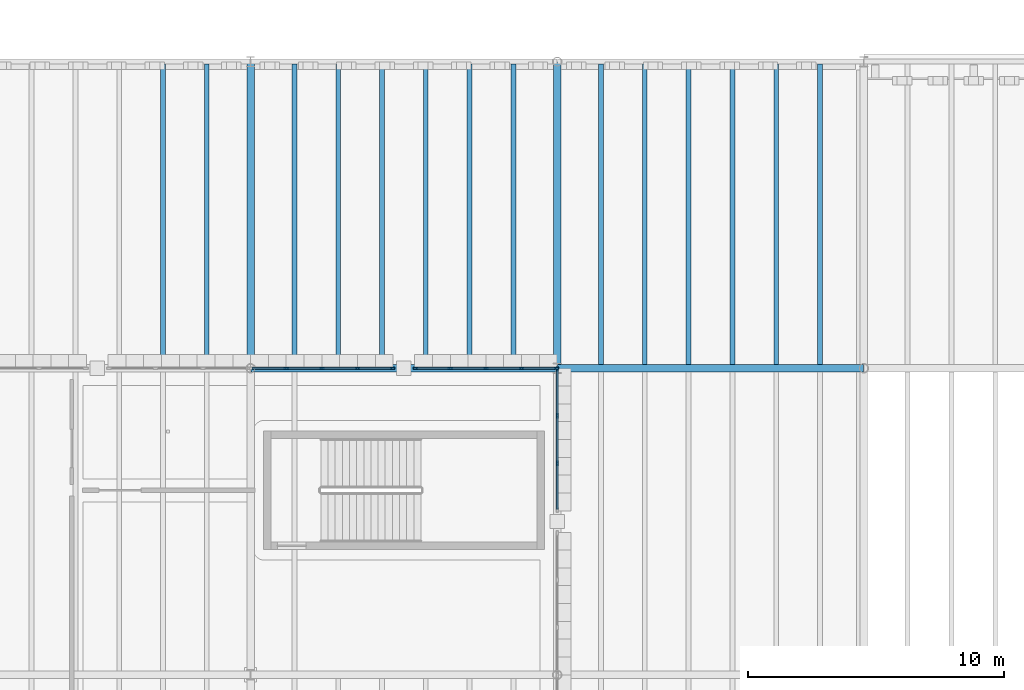
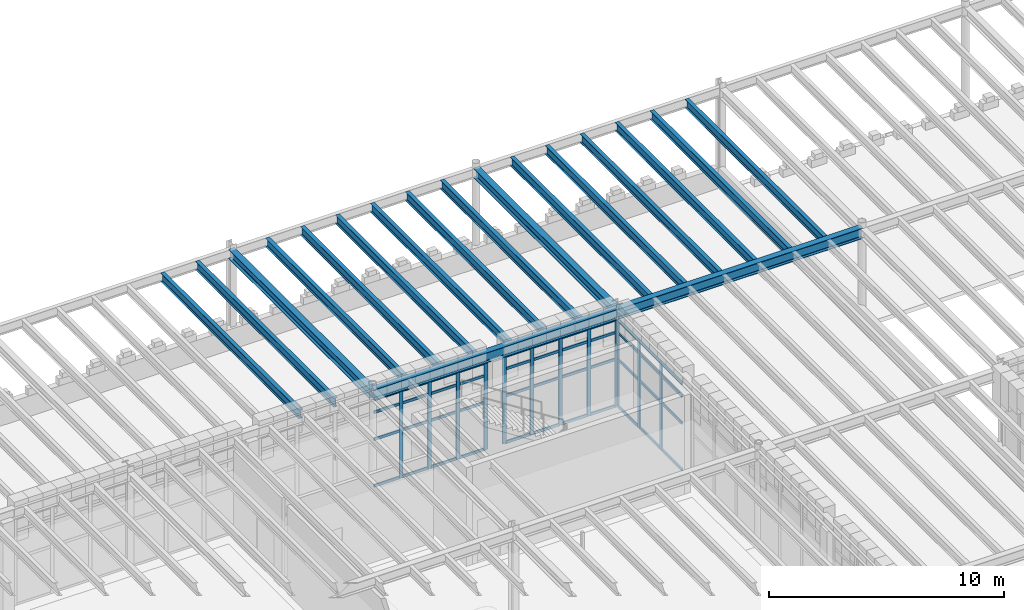
# One storey, part 27 of 100: 56 members, 18 beams, 3 elements without a shape of their own.
"""IFC4 building model written with IfcOpenShell, lengths in metres."""

from ifc_helpers import new_model, si_unit, direction, frame, origin, origin_2d, place, context, subcontext, project, spatial, rectangle, i_section, extrude, material, layer, layer_set, material_profile, profile_set, type_object, element, aggregate, save


model = new_model("IFC4")

# Units and contexts
model_context = context("Model", 3, precision=1e-05, world=origin(), true_north=direction((0.0, 1.0)))
body_context = subcontext(model_context, "Body", "Model", "MODEL_VIEW")
ifc_project = project(units=[si_unit("LENGTHUNIT", "METRE"), si_unit("AREAUNIT", "SQUARE_METRE"), si_unit("VOLUMEUNIT", "CUBIC_METRE"), si_unit("PLANEANGLEUNIT", "RADIAN"), si_unit("MASSUNIT", "GRAM", prefix="KILO")], contexts=[model_context])

# Site, building, storey
site_placement = place(None, origin())
site = spatial("IfcSite", under=ifc_project, at=site_placement, CompositionType="ELEMENT")
building_placement = place(site_placement, origin())
building = spatial("IfcBuilding", under=site, at=building_placement, Name="Zlatogorsky Bluff Art Gallery", CompositionType="ELEMENT")
storey_placement = place(building_placement, frame((0.0, 0.0, 5.39990234375)))
storey = spatial("IfcBuildingStorey", under=building, at=storey_placement, Name="L01", CompositionType="ELEMENT", Elevation=5.39990234375)

# Beams
ifc_material_1 = material(Name="Steel S355", Category="steel")
ifc_material_profile_1 = material_profile(ifc_material_1, i_section(OverallWidth=0.300048828125, OverallDepth=0.5400390625, WebThickness=0.012451171875, FlangeThickness=0.02392578125, FilletRadius=0.027099609375, at=origin_2d()), Name="HEA 550")
ifc_profile_set_1 = profile_set([ifc_material_profile_1], Name="Steel S355")
beam_type_1 = type_object("IfcBeamType", Name="Beam BM-06 HEA 550", PredefinedType="BEAM", material=ifc_profile_set_1)
for number, where, z_axis, x_axis, name in (
    (1, (36.014892578125, 108.0, 4.840087890625), (1.0, 0.0, 0.0), (0.0, 1.0, 0.0), "Primary girder BM-06 L01 D-E/11"),
    (2, (48.014892578125, 108.0, 4.840087890625), (1.0, 0.0, 0.0), (0.0, 1.0, 0.0), "Primary girder BM-06 L01 E-F/11"),
):
    element("IfcBeam", number, at=place(storey_placement, frame(where, z_axis=z_axis, x_axis=x_axis)), inside=storey, type_object=beam_type_1, Name=name, PredefinedType="BEAM", context=body_context, shape_type="SweptSolid", body=[
        extrude(i_section(OverallWidth=0.300048828125, OverallDepth=0.5400390625, WebThickness=0.012451171875, FlangeThickness=0.02392578125, FilletRadius=0.027099609375, at=origin_2d()), origin(), (0.0, 0.0, 1.0), 11.97021484375),
    ])
ifc_material_profile_2 = material_profile(ifc_material_1, i_section(OverallWidth=0.300048828125, OverallDepth=0.489990234375, WebThickness=0.011962890625, FlangeThickness=0.02294921875, FilletRadius=0.027099609375, at=origin_2d()), Name="HEA 500")
ifc_profile_set_2 = profile_set([ifc_material_profile_2], Name="Steel S355")
beam_type_2 = type_object("IfcBeamType", Name="Beam BM-07 HEA 500", PredefinedType="BEAM", material=ifc_profile_set_2)
for number, where, z_axis, x_axis, name in (
    (3, (36.0, 108.014892578125, 4.864990234375), (0.0, 1.0, 0.0), (-1.0, 0.0, 0.0), "Primary girder BM-07 L01 D/11-12"),
    (4, (48.0, 108.014892578125, 4.864990234375), (0.0, 1.0, 0.0), (-1.0, 0.0, 0.0), "Primary girder BM-07 L01 E/11-12"),
):
    element("IfcBeam", number, at=place(storey_placement, frame(where, z_axis=z_axis, x_axis=x_axis)), inside=storey, type_object=beam_type_2, Name=name, PredefinedType="BEAM", context=body_context, shape_type="SweptSolid", body=[
        extrude(i_section(OverallWidth=0.300048828125, OverallDepth=0.489990234375, WebThickness=0.011962890625, FlangeThickness=0.02294921875, FilletRadius=0.027099609375, at=origin_2d()), origin(), (0.0, 0.0, 1.0), 11.97021484375),
    ])
ifc_material_profile_3 = material_profile(ifc_material_1, i_section(OverallWidth=0.18994140625, OverallDepth=0.449951171875, WebThickness=0.009521484375, FlangeThickness=0.0146484375, FilletRadius=0.02099609375, at=origin_2d()), Name="IPE 450")
ifc_profile_set_3 = profile_set([ifc_material_profile_3], Name="Steel S355")
beam_type_3 = type_object("IfcBeamType", Name="Beam JS-06 IPE 450", PredefinedType="JOIST", material=ifc_profile_set_3)
for number, where, z_axis, x_axis, name in (
    (5, (32.571533203125, 108.14990234375, 4.885009765625), (0.0, 1.0, 0.0), (-1.0, 0.0, 0.0), "Composite floor joist JS-06 L01 02.10.5"),
    (6, (34.28564453125, 108.14990234375, 4.885009765625), (0.0, 1.0, 0.0), (-1.0, 0.0, 0.0), "Composite floor joist JS-06 L01 02.10.6"),
    (7, (37.71435546875, 108.14990234375, 4.885009765625), (0.0, 1.0, 0.0), (-1.0, 0.0, 0.0), "Composite floor joist JS-06 L01 03.10.1"),
    (8, (39.428466796875, 108.14990234375, 4.885009765625), (0.0, 1.0, 0.0), (-1.0, 0.0, 0.0), "Composite floor joist JS-06 L01 03.10.2"),
    (9, (41.142822265625, 108.14990234375, 4.885009765625), (0.0, 1.0, 0.0), (-1.0, 0.0, 0.0), "Composite floor joist JS-06 L01 03.10.3"),
    (10, (42.857177734375, 108.14990234375, 4.885009765625), (0.0, 1.0, 0.0), (-1.0, 0.0, 0.0), "Composite floor joist JS-06 L01 03.10.4"),
    (11, (44.571533203125, 108.14990234375, 4.885009765625), (0.0, 1.0, 0.0), (-1.0, 0.0, 0.0), "Composite floor joist JS-06 L01 03.10.5"),
    (12, (46.28564453125, 108.14990234375, 4.885009765625), (0.0, 1.0, 0.0), (-1.0, 0.0, 0.0), "Composite floor joist JS-06 L01 03.10.6"),
    (13, (49.71435546875, 108.14990234375, 4.885009765625), (0.0, 1.0, 0.0), (-1.0, 0.0, 0.0), "Composite floor joist JS-06 L01 04.10.1"),
    (14, (51.428466796875, 108.14990234375, 4.885009765625), (0.0, 1.0, 0.0), (-1.0, 0.0, 0.0), "Composite floor joist JS-06 L01 04.10.2"),
    (15, (53.142822265625, 108.14990234375, 4.885009765625), (0.0, 1.0, 0.0), (-1.0, 0.0, 0.0), "Composite floor joist JS-06 L01 04.10.3"),
    (16, (54.857177734375, 108.14990234375, 4.885009765625), (0.0, 1.0, 0.0), (-1.0, 0.0, 0.0), "Composite floor joist JS-06 L01 04.10.4"),
    (17, (56.571533203125, 108.14990234375, 4.885009765625), (0.0, 1.0, 0.0), (-1.0, 0.0, 0.0), "Composite floor joist JS-06 L01 04.10.5"),
    (18, (58.28564453125, 108.14990234375, 4.885009765625), (0.0, 1.0, 0.0), (-1.0, 0.0, 0.0), "Composite floor joist JS-06 L01 04.10.6"),
):
    element("IfcBeam", number, at=place(storey_placement, frame(where, z_axis=z_axis, x_axis=x_axis)), inside=storey, type_object=beam_type_3, Name=name, PredefinedType="JOIST", context=body_context, shape_type="SweptSolid", body=[
        extrude(i_section(OverallWidth=0.18994140625, OverallDepth=0.449951171875, WebThickness=0.009521484375, FlangeThickness=0.0146484375, FilletRadius=0.02099609375, at=origin_2d()), origin(), (0.0, 0.0, 1.0), 11.75),
    ])

# Curtain wall, members
ifc_material_2 = material(Name="Anodised Bronze Aluminium and Low-Iron Triple Glazing", Category="aluminium")
ifc_layer_1 = layer(ifc_material_2, 0.199951171875)
ifc_layer_set_1 = layer_set([ifc_layer_1], Name="Curtain Wall CW-02")
curtain_wall_type_1 = type_object("IfcCurtainWallType", Name="Curtain Wall CW-02", PredefinedType="USERDEFINED", material=ifc_layer_set_1)
curtain_wall_1_placement = place(storey_placement, origin())
curtain_wall_1 = element("IfcCurtainWall", 19, at=curtain_wall_1_placement, inside=storey, type_object=curtain_wall_type_1, Name="Unitised curtain wall CW-02 L01 N 3.9-A", ObjectType="CURTAIN WALL", PredefinedType="USERDEFINED")
ifc_material_3 = material(Name="Anodised Bronze Aluminium", Category="aluminium")
ifc_material_profile_4 = material_profile(ifc_material_3, rectangle(XDim=0.06494140625, YDim=0.179931640625, at=origin_2d()), Name="ALU MULLION 65x180")
ifc_profile_set_4 = profile_set([ifc_material_profile_4], Name="Anodised Bronze Aluminium")
member_type_1 = type_object("IfcMemberType", Name="Curtain Mullion ML-01", PredefinedType="MULLION", material=ifc_profile_set_4)
member_1_placement = place(storey_placement, frame((47.967529296875, 108.0, 0.0), z_axis=(0.0, 0.0, 1.0), x_axis=(0.0, -1.0, 0.0)))
member_1 = element("IfcMember", 20, at=member_1_placement, type_object=member_type_1, Name="CW-02 mullion 1", PredefinedType="MULLION", context=body_context, shape_type="SweptSolid", body=[
    extrude(rectangle(XDim=0.06494140625, YDim=0.179931640625, at=origin_2d()), origin(), (0.0, 0.0, 1.0), 4.530029296875),
])
member_2_placement = place(storey_placement, frame((46.60498046875, 108.0, 0.0), z_axis=(0.0, 0.0, 1.0), x_axis=(0.0, -1.0, 0.0)))
member_2 = element("IfcMember", 21, at=member_2_placement, type_object=member_type_1, Name="CW-02 mullion 2", PredefinedType="MULLION", context=body_context, shape_type="SweptSolid", body=[
    extrude(rectangle(XDim=0.06494140625, YDim=0.179931640625, at=origin_2d()), origin(), (0.0, 0.0, 1.0), 4.530029296875),
])
member_3_placement = place(storey_placement, frame((45.2099609375, 108.0, 0.0), z_axis=(0.0, 0.0, 1.0), x_axis=(0.0, -1.0, 0.0)))
member_3 = element("IfcMember", 22, at=member_3_placement, type_object=member_type_1, Name="CW-02 mullion 3", PredefinedType="MULLION", context=body_context, shape_type="SweptSolid", body=[
    extrude(rectangle(XDim=0.06494140625, YDim=0.179931640625, at=origin_2d()), origin(), (0.0, 0.0, 1.0), 4.530029296875),
])
member_4_placement = place(storey_placement, frame((43.81494140625, 108.0, 0.0), z_axis=(0.0, 0.0, 1.0), x_axis=(0.0, -1.0, 0.0)))
member_4 = element("IfcMember", 23, at=member_4_placement, type_object=member_type_1, Name="CW-02 mullion 4", PredefinedType="MULLION", context=body_context, shape_type="SweptSolid", body=[
    extrude(rectangle(XDim=0.06494140625, YDim=0.179931640625, at=origin_2d()), origin(), (0.0, 0.0, 1.0), 4.530029296875),
])
member_5_placement = place(storey_placement, frame((42.452392578125, 108.0, 0.0), z_axis=(0.0, 0.0, 1.0), x_axis=(0.0, -1.0, 0.0)))
member_5 = element("IfcMember", 24, at=member_5_placement, type_object=member_type_1, Name="CW-02 mullion 5", PredefinedType="MULLION", context=body_context, shape_type="SweptSolid", body=[
    extrude(rectangle(XDim=0.06494140625, YDim=0.179931640625, at=origin_2d()), origin(), (0.0, 0.0, 1.0), 4.530029296875),
])

curtain_wall_2_placement = place(storey_placement, origin())
curtain_wall_2 = element("IfcCurtainWall", 25, at=curtain_wall_2_placement, inside=storey, type_object=curtain_wall_type_1, Name="Unitised curtain wall CW-02 L01 N 3.9-B", ObjectType="CURTAIN WALL", PredefinedType="USERDEFINED")
member_6_placement = place(storey_placement, frame((41.547607421875, 108.0, 0.0), z_axis=(0.0, 0.0, 1.0), x_axis=(0.0, -1.0, 0.0)))
member_6 = element("IfcMember", 26, at=member_6_placement, type_object=member_type_1, Name="CW-02 mullion 1", PredefinedType="MULLION", context=body_context, shape_type="SweptSolid", body=[
    extrude(rectangle(XDim=0.06494140625, YDim=0.179931640625, at=origin_2d()), origin(), (0.0, 0.0, 1.0), 4.530029296875),
])
member_7_placement = place(storey_placement, frame((40.18505859375, 108.0, 0.0), z_axis=(0.0, 0.0, 1.0), x_axis=(0.0, -1.0, 0.0)))
member_7 = element("IfcMember", 27, at=member_7_placement, type_object=member_type_1, Name="CW-02 mullion 2", PredefinedType="MULLION", context=body_context, shape_type="SweptSolid", body=[
    extrude(rectangle(XDim=0.06494140625, YDim=0.179931640625, at=origin_2d()), origin(), (0.0, 0.0, 1.0), 4.530029296875),
])
member_8_placement = place(storey_placement, frame((38.7900390625, 108.0, 0.0), z_axis=(0.0, 0.0, 1.0), x_axis=(0.0, -1.0, 0.0)))
member_8 = element("IfcMember", 28, at=member_8_placement, type_object=member_type_1, Name="CW-02 mullion 3", PredefinedType="MULLION", context=body_context, shape_type="SweptSolid", body=[
    extrude(rectangle(XDim=0.06494140625, YDim=0.179931640625, at=origin_2d()), origin(), (0.0, 0.0, 1.0), 4.530029296875),
])
member_9_placement = place(storey_placement, frame((37.39501953125, 108.0, 0.0), z_axis=(0.0, 0.0, 1.0), x_axis=(0.0, -1.0, 0.0)))
member_9 = element("IfcMember", 29, at=member_9_placement, type_object=member_type_1, Name="CW-02 mullion 4", PredefinedType="MULLION", context=body_context, shape_type="SweptSolid", body=[
    extrude(rectangle(XDim=0.06494140625, YDim=0.179931640625, at=origin_2d()), origin(), (0.0, 0.0, 1.0), 4.530029296875),
])

ifc_layer_2 = layer(ifc_material_2, 0.219970703125)
ifc_layer_set_2 = layer_set([ifc_layer_2], Name="Curtain Wall CW-04")
curtain_wall_type_2 = type_object("IfcCurtainWallType", Name="Curtain Wall CW-04", PredefinedType="USERDEFINED", material=ifc_layer_set_2)
curtain_wall_3_placement = place(storey_placement, origin())
curtain_wall_3 = element("IfcCurtainWall", 30, at=curtain_wall_3_placement, inside=storey, type_object=curtain_wall_type_2, Name="Unitised curtain wall CW-04 L01 E 3.9-B", ObjectType="CURTAIN WALL", PredefinedType="USERDEFINED")
member_10_placement = place(storey_placement, frame((48.0, 104.280029296875, 0.0), z_axis=(0.0, 0.0, 1.0), x_axis=(-1.0, 0.0, 0.0)))
member_10 = element("IfcMember", 31, at=member_10_placement, type_object=member_type_1, Name="CW-04 mullion 2", PredefinedType="MULLION", context=body_context, shape_type="SweptSolid", body=[
    extrude(rectangle(XDim=0.06494140625, YDim=0.179931640625, at=origin_2d()), origin(), (0.0, 0.0, 1.0), 4.530029296875),
])
member_11_placement = place(storey_placement, frame((48.0, 106.139892578125, 0.0), z_axis=(0.0, 0.0, 1.0), x_axis=(-1.0, 0.0, 0.0)))
member_11 = element("IfcMember", 32, at=member_11_placement, type_object=member_type_1, Name="CW-04 mullion 3", PredefinedType="MULLION", context=body_context, shape_type="SweptSolid", body=[
    extrude(rectangle(XDim=0.06494140625, YDim=0.179931640625, at=origin_2d()), origin(), (0.0, 0.0, 1.0), 4.530029296875),
])
member_12_placement = place(storey_placement, frame((48.0, 107.967529296875, 0.0), z_axis=(0.0, 0.0, 1.0), x_axis=(-1.0, 0.0, 0.0)))
member_12 = element("IfcMember", 33, at=member_12_placement, type_object=member_type_1, Name="CW-04 mullion 4", PredefinedType="MULLION", context=body_context, shape_type="SweptSolid", body=[
    extrude(rectangle(XDim=0.06494140625, YDim=0.179931640625, at=origin_2d()), origin(), (0.0, 0.0, 1.0), 4.530029296875),
])

# Member
ifc_material_profile_5 = material_profile(ifc_material_3, rectangle(XDim=0.06494140625, YDim=0.139892578125, at=origin_2d()), Name="ALU TRANSOM 65x140")
ifc_profile_set_5 = profile_set([ifc_material_profile_5], Name="Anodised Bronze Aluminium")
member_type_2 = type_object("IfcMemberType", Name="Curtain Transom TR-01", PredefinedType="USERDEFINED", material=ifc_profile_set_5)
member_13_placement = place(storey_placement, frame((47.93505859375, 108.0, 0.03271484375), z_axis=(-1.0, 0.0, 0.0), x_axis=(0.0, -1.0, 0.0)))
member_13 = element("IfcMember", 34, at=member_13_placement, type_object=member_type_2, Name="CW-02 transom 1.1", ObjectType="TRANSOM", PredefinedType="USERDEFINED", context=body_context, shape_type="SweptSolid", body=[
    extrude(rectangle(XDim=0.06494140625, YDim=0.139892578125, at=origin_2d()), origin(), (0.0, 0.0, 1.0), 1.297607421875),
])

member_14_placement = place(storey_placement, frame((47.93505859375, 108.0, 2.4501953125), z_axis=(-1.0, 0.0, 0.0), x_axis=(0.0, -1.0, 0.0)))
member_14 = element("IfcMember", 35, at=member_14_placement, type_object=member_type_2, Name="CW-02 transom 1.2", ObjectType="TRANSOM", PredefinedType="USERDEFINED", context=body_context, shape_type="SweptSolid", body=[
    extrude(rectangle(XDim=0.06494140625, YDim=0.139892578125, at=origin_2d()), origin(), (0.0, 0.0, 1.0), 1.297607421875),
])

member_15_placement = place(storey_placement, frame((47.93505859375, 108.0, 3.85009765625), z_axis=(-1.0, 0.0, 0.0), x_axis=(0.0, -1.0, 0.0)))
member_15 = element("IfcMember", 36, at=member_15_placement, type_object=member_type_2, Name="CW-02 transom 1.3", ObjectType="TRANSOM", PredefinedType="USERDEFINED", context=body_context, shape_type="SweptSolid", body=[
    extrude(rectangle(XDim=0.06494140625, YDim=0.139892578125, at=origin_2d()), origin(), (0.0, 0.0, 1.0), 1.297607421875),
])

member_16_placement = place(storey_placement, frame((47.93505859375, 108.0, 4.49755859375), z_axis=(-1.0, 0.0, 0.0), x_axis=(0.0, -1.0, 0.0)))
member_16 = element("IfcMember", 37, at=member_16_placement, type_object=member_type_2, Name="CW-02 transom 1.4", ObjectType="TRANSOM", PredefinedType="USERDEFINED", context=body_context, shape_type="SweptSolid", body=[
    extrude(rectangle(XDim=0.06494140625, YDim=0.139892578125, at=origin_2d()), origin(), (0.0, 0.0, 1.0), 1.297607421875),
])

member_17_placement = place(storey_placement, frame((46.572509765625, 108.0, 0.03271484375), z_axis=(-1.0, 0.0, 0.0), x_axis=(0.0, -1.0, 0.0)))
member_17 = element("IfcMember", 38, at=member_17_placement, type_object=member_type_2, Name="CW-02 transom 2.1", ObjectType="TRANSOM", PredefinedType="USERDEFINED", context=body_context, shape_type="SweptSolid", body=[
    extrude(rectangle(XDim=0.06494140625, YDim=0.139892578125, at=origin_2d()), origin(), (0.0, 0.0, 1.0), 1.330078125),
])

member_18_placement = place(storey_placement, frame((46.572509765625, 108.0, 2.4501953125), z_axis=(-1.0, 0.0, 0.0), x_axis=(0.0, -1.0, 0.0)))
member_18 = element("IfcMember", 39, at=member_18_placement, type_object=member_type_2, Name="CW-02 transom 2.2", ObjectType="TRANSOM", PredefinedType="USERDEFINED", context=body_context, shape_type="SweptSolid", body=[
    extrude(rectangle(XDim=0.06494140625, YDim=0.139892578125, at=origin_2d()), origin(), (0.0, 0.0, 1.0), 1.330078125),
])

member_19_placement = place(storey_placement, frame((46.572509765625, 108.0, 3.85009765625), z_axis=(-1.0, 0.0, 0.0), x_axis=(0.0, -1.0, 0.0)))
member_19 = element("IfcMember", 40, at=member_19_placement, type_object=member_type_2, Name="CW-02 transom 2.3", ObjectType="TRANSOM", PredefinedType="USERDEFINED", context=body_context, shape_type="SweptSolid", body=[
    extrude(rectangle(XDim=0.06494140625, YDim=0.139892578125, at=origin_2d()), origin(), (0.0, 0.0, 1.0), 1.330078125),
])

member_20_placement = place(storey_placement, frame((46.572509765625, 108.0, 4.49755859375), z_axis=(-1.0, 0.0, 0.0), x_axis=(0.0, -1.0, 0.0)))
member_20 = element("IfcMember", 41, at=member_20_placement, type_object=member_type_2, Name="CW-02 transom 2.4", ObjectType="TRANSOM", PredefinedType="USERDEFINED", context=body_context, shape_type="SweptSolid", body=[
    extrude(rectangle(XDim=0.06494140625, YDim=0.139892578125, at=origin_2d()), origin(), (0.0, 0.0, 1.0), 1.330078125),
])

member_21_placement = place(storey_placement, frame((45.177490234375, 108.0, 0.03271484375), z_axis=(-1.0, 0.0, 0.0), x_axis=(0.0, -1.0, 0.0)))
member_21 = element("IfcMember", 42, at=member_21_placement, type_object=member_type_2, Name="CW-02 transom 3.1", ObjectType="TRANSOM", PredefinedType="USERDEFINED", context=body_context, shape_type="SweptSolid", body=[
    extrude(rectangle(XDim=0.06494140625, YDim=0.139892578125, at=origin_2d()), origin(), (0.0, 0.0, 1.0), 1.330078125),
])

member_22_placement = place(storey_placement, frame((45.177490234375, 108.0, 2.4501953125), z_axis=(-1.0, 0.0, 0.0), x_axis=(0.0, -1.0, 0.0)))
member_22 = element("IfcMember", 43, at=member_22_placement, type_object=member_type_2, Name="CW-02 transom 3.2", ObjectType="TRANSOM", PredefinedType="USERDEFINED", context=body_context, shape_type="SweptSolid", body=[
    extrude(rectangle(XDim=0.06494140625, YDim=0.139892578125, at=origin_2d()), origin(), (0.0, 0.0, 1.0), 1.330078125),
])

member_23_placement = place(storey_placement, frame((45.177490234375, 108.0, 3.85009765625), z_axis=(-1.0, 0.0, 0.0), x_axis=(0.0, -1.0, 0.0)))
member_23 = element("IfcMember", 44, at=member_23_placement, type_object=member_type_2, Name="CW-02 transom 3.3", ObjectType="TRANSOM", PredefinedType="USERDEFINED", context=body_context, shape_type="SweptSolid", body=[
    extrude(rectangle(XDim=0.06494140625, YDim=0.139892578125, at=origin_2d()), origin(), (0.0, 0.0, 1.0), 1.330078125),
])

member_24_placement = place(storey_placement, frame((45.177490234375, 108.0, 4.49755859375), z_axis=(-1.0, 0.0, 0.0), x_axis=(0.0, -1.0, 0.0)))
member_24 = element("IfcMember", 45, at=member_24_placement, type_object=member_type_2, Name="CW-02 transom 3.4", ObjectType="TRANSOM", PredefinedType="USERDEFINED", context=body_context, shape_type="SweptSolid", body=[
    extrude(rectangle(XDim=0.06494140625, YDim=0.139892578125, at=origin_2d()), origin(), (0.0, 0.0, 1.0), 1.330078125),
])

member_25_placement = place(storey_placement, frame((43.782470703125, 108.0, 0.03271484375), z_axis=(-1.0, 0.0, 0.0), x_axis=(0.0, -1.0, 0.0)))
member_25 = element("IfcMember", 46, at=member_25_placement, type_object=member_type_2, Name="CW-02 transom 4.1", ObjectType="TRANSOM", PredefinedType="USERDEFINED", context=body_context, shape_type="SweptSolid", body=[
    extrude(rectangle(XDim=0.06494140625, YDim=0.139892578125, at=origin_2d()), origin(), (0.0, 0.0, 1.0), 1.29736328125),
])

member_26_placement = place(storey_placement, frame((43.782470703125, 108.0, 2.4501953125), z_axis=(-1.0, 0.0, 0.0), x_axis=(0.0, -1.0, 0.0)))
member_26 = element("IfcMember", 47, at=member_26_placement, type_object=member_type_2, Name="CW-02 transom 4.2", ObjectType="TRANSOM", PredefinedType="USERDEFINED", context=body_context, shape_type="SweptSolid", body=[
    extrude(rectangle(XDim=0.06494140625, YDim=0.139892578125, at=origin_2d()), origin(), (0.0, 0.0, 1.0), 1.29736328125),
])

member_27_placement = place(storey_placement, frame((43.782470703125, 108.0, 3.85009765625), z_axis=(-1.0, 0.0, 0.0), x_axis=(0.0, -1.0, 0.0)))
member_27 = element("IfcMember", 48, at=member_27_placement, type_object=member_type_2, Name="CW-02 transom 4.3", ObjectType="TRANSOM", PredefinedType="USERDEFINED", context=body_context, shape_type="SweptSolid", body=[
    extrude(rectangle(XDim=0.06494140625, YDim=0.139892578125, at=origin_2d()), origin(), (0.0, 0.0, 1.0), 1.29736328125),
])

member_28_placement = place(storey_placement, frame((43.782470703125, 108.0, 4.49755859375), z_axis=(-1.0, 0.0, 0.0), x_axis=(0.0, -1.0, 0.0)))
member_28 = element("IfcMember", 49, at=member_28_placement, type_object=member_type_2, Name="CW-02 transom 4.4", ObjectType="TRANSOM", PredefinedType="USERDEFINED", context=body_context, shape_type="SweptSolid", body=[
    extrude(rectangle(XDim=0.06494140625, YDim=0.139892578125, at=origin_2d()), origin(), (0.0, 0.0, 1.0), 1.29736328125),
])

aggregate(curtain_wall_1, [member_1, member_2, member_3, member_4, member_5, member_13, member_14, member_15, member_16, member_17, member_18, member_19, member_20, member_21, member_22, member_23, member_24, member_25, member_26, member_27, member_28])

member_29_placement = place(storey_placement, frame((41.514892578125, 108.0, 0.03271484375), z_axis=(-1.0, 0.0, 0.0), x_axis=(0.0, -1.0, 0.0)))
member_29 = element("IfcMember", 50, at=member_29_placement, type_object=member_type_2, Name="CW-02 transom 1.1", ObjectType="TRANSOM", PredefinedType="USERDEFINED", context=body_context, shape_type="SweptSolid", body=[
    extrude(rectangle(XDim=0.06494140625, YDim=0.139892578125, at=origin_2d()), origin(), (0.0, 0.0, 1.0), 1.29736328125),
])

member_30_placement = place(storey_placement, frame((41.514892578125, 108.0, 2.4501953125), z_axis=(-1.0, 0.0, 0.0), x_axis=(0.0, -1.0, 0.0)))
member_30 = element("IfcMember", 51, at=member_30_placement, type_object=member_type_2, Name="CW-02 transom 1.2", ObjectType="TRANSOM", PredefinedType="USERDEFINED", context=body_context, shape_type="SweptSolid", body=[
    extrude(rectangle(XDim=0.06494140625, YDim=0.139892578125, at=origin_2d()), origin(), (0.0, 0.0, 1.0), 1.29736328125),
])

member_31_placement = place(storey_placement, frame((41.514892578125, 108.0, 3.85009765625), z_axis=(-1.0, 0.0, 0.0), x_axis=(0.0, -1.0, 0.0)))
member_31 = element("IfcMember", 52, at=member_31_placement, type_object=member_type_2, Name="CW-02 transom 1.3", ObjectType="TRANSOM", PredefinedType="USERDEFINED", context=body_context, shape_type="SweptSolid", body=[
    extrude(rectangle(XDim=0.06494140625, YDim=0.139892578125, at=origin_2d()), origin(), (0.0, 0.0, 1.0), 1.29736328125),
])

member_32_placement = place(storey_placement, frame((41.514892578125, 108.0, 4.49755859375), z_axis=(-1.0, 0.0, 0.0), x_axis=(0.0, -1.0, 0.0)))
member_32 = element("IfcMember", 53, at=member_32_placement, type_object=member_type_2, Name="CW-02 transom 1.4", ObjectType="TRANSOM", PredefinedType="USERDEFINED", context=body_context, shape_type="SweptSolid", body=[
    extrude(rectangle(XDim=0.06494140625, YDim=0.139892578125, at=origin_2d()), origin(), (0.0, 0.0, 1.0), 1.29736328125),
])

member_33_placement = place(storey_placement, frame((40.152587890625, 108.0, 0.03271484375), z_axis=(-1.0, 0.0, 0.0), x_axis=(0.0, -1.0, 0.0)))
member_33 = element("IfcMember", 54, at=member_33_placement, type_object=member_type_2, Name="CW-02 transom 2.1", ObjectType="TRANSOM", PredefinedType="USERDEFINED", context=body_context, shape_type="SweptSolid", body=[
    extrude(rectangle(XDim=0.06494140625, YDim=0.139892578125, at=origin_2d()), origin(), (0.0, 0.0, 1.0), 1.330078125),
])

member_34_placement = place(storey_placement, frame((40.152587890625, 108.0, 2.4501953125), z_axis=(-1.0, 0.0, 0.0), x_axis=(0.0, -1.0, 0.0)))
member_34 = element("IfcMember", 55, at=member_34_placement, type_object=member_type_2, Name="CW-02 transom 2.2", ObjectType="TRANSOM", PredefinedType="USERDEFINED", context=body_context, shape_type="SweptSolid", body=[
    extrude(rectangle(XDim=0.06494140625, YDim=0.139892578125, at=origin_2d()), origin(), (0.0, 0.0, 1.0), 1.330078125),
])

member_35_placement = place(storey_placement, frame((40.152587890625, 108.0, 3.85009765625), z_axis=(-1.0, 0.0, 0.0), x_axis=(0.0, -1.0, 0.0)))
member_35 = element("IfcMember", 56, at=member_35_placement, type_object=member_type_2, Name="CW-02 transom 2.3", ObjectType="TRANSOM", PredefinedType="USERDEFINED", context=body_context, shape_type="SweptSolid", body=[
    extrude(rectangle(XDim=0.06494140625, YDim=0.139892578125, at=origin_2d()), origin(), (0.0, 0.0, 1.0), 1.330078125),
])

member_36_placement = place(storey_placement, frame((40.152587890625, 108.0, 4.49755859375), z_axis=(-1.0, 0.0, 0.0), x_axis=(0.0, -1.0, 0.0)))
member_36 = element("IfcMember", 57, at=member_36_placement, type_object=member_type_2, Name="CW-02 transom 2.4", ObjectType="TRANSOM", PredefinedType="USERDEFINED", context=body_context, shape_type="SweptSolid", body=[
    extrude(rectangle(XDim=0.06494140625, YDim=0.139892578125, at=origin_2d()), origin(), (0.0, 0.0, 1.0), 1.330078125),
])

member_37_placement = place(storey_placement, frame((38.757568359375, 108.0, 0.03271484375), z_axis=(-1.0, 0.0, 0.0), x_axis=(0.0, -1.0, 0.0)))
member_37 = element("IfcMember", 58, at=member_37_placement, type_object=member_type_2, Name="CW-02 transom 3.1", ObjectType="TRANSOM", PredefinedType="USERDEFINED", context=body_context, shape_type="SweptSolid", body=[
    extrude(rectangle(XDim=0.06494140625, YDim=0.139892578125, at=origin_2d()), origin(), (0.0, 0.0, 1.0), 1.330078125),
])

member_38_placement = place(storey_placement, frame((38.757568359375, 108.0, 2.4501953125), z_axis=(-1.0, 0.0, 0.0), x_axis=(0.0, -1.0, 0.0)))
member_38 = element("IfcMember", 59, at=member_38_placement, type_object=member_type_2, Name="CW-02 transom 3.2", ObjectType="TRANSOM", PredefinedType="USERDEFINED", context=body_context, shape_type="SweptSolid", body=[
    extrude(rectangle(XDim=0.06494140625, YDim=0.139892578125, at=origin_2d()), origin(), (0.0, 0.0, 1.0), 1.330078125),
])

member_39_placement = place(storey_placement, frame((38.757568359375, 108.0, 3.85009765625), z_axis=(-1.0, 0.0, 0.0), x_axis=(0.0, -1.0, 0.0)))
member_39 = element("IfcMember", 60, at=member_39_placement, type_object=member_type_2, Name="CW-02 transom 3.3", ObjectType="TRANSOM", PredefinedType="USERDEFINED", context=body_context, shape_type="SweptSolid", body=[
    extrude(rectangle(XDim=0.06494140625, YDim=0.139892578125, at=origin_2d()), origin(), (0.0, 0.0, 1.0), 1.330078125),
])

member_40_placement = place(storey_placement, frame((38.757568359375, 108.0, 4.49755859375), z_axis=(-1.0, 0.0, 0.0), x_axis=(0.0, -1.0, 0.0)))
member_40 = element("IfcMember", 61, at=member_40_placement, type_object=member_type_2, Name="CW-02 transom 3.4", ObjectType="TRANSOM", PredefinedType="USERDEFINED", context=body_context, shape_type="SweptSolid", body=[
    extrude(rectangle(XDim=0.06494140625, YDim=0.139892578125, at=origin_2d()), origin(), (0.0, 0.0, 1.0), 1.330078125),
])

member_41_placement = place(storey_placement, frame((37.362548828125, 108.0, 0.03271484375), z_axis=(-1.0, 0.0, 0.0), x_axis=(0.0, -1.0, 0.0)))
member_41 = element("IfcMember", 62, at=member_41_placement, type_object=member_type_2, Name="CW-02 transom 4.1", ObjectType="TRANSOM", PredefinedType="USERDEFINED", context=body_context, shape_type="SweptSolid", body=[
    extrude(rectangle(XDim=0.06494140625, YDim=0.139892578125, at=origin_2d()), origin(), (0.0, 0.0, 1.0), 1.297607421875),
])

member_42_placement = place(storey_placement, frame((37.362548828125, 108.0, 2.4501953125), z_axis=(-1.0, 0.0, 0.0), x_axis=(0.0, -1.0, 0.0)))
member_42 = element("IfcMember", 63, at=member_42_placement, type_object=member_type_2, Name="CW-02 transom 4.2", ObjectType="TRANSOM", PredefinedType="USERDEFINED", context=body_context, shape_type="SweptSolid", body=[
    extrude(rectangle(XDim=0.06494140625, YDim=0.139892578125, at=origin_2d()), origin(), (0.0, 0.0, 1.0), 1.297607421875),
])

member_43_placement = place(storey_placement, frame((37.362548828125, 108.0, 3.85009765625), z_axis=(-1.0, 0.0, 0.0), x_axis=(0.0, -1.0, 0.0)))
member_43 = element("IfcMember", 64, at=member_43_placement, type_object=member_type_2, Name="CW-02 transom 4.3", ObjectType="TRANSOM", PredefinedType="USERDEFINED", context=body_context, shape_type="SweptSolid", body=[
    extrude(rectangle(XDim=0.06494140625, YDim=0.139892578125, at=origin_2d()), origin(), (0.0, 0.0, 1.0), 1.297607421875),
])

member_44_placement = place(storey_placement, frame((37.362548828125, 108.0, 4.49755859375), z_axis=(-1.0, 0.0, 0.0), x_axis=(0.0, -1.0, 0.0)))
member_44 = element("IfcMember", 65, at=member_44_placement, type_object=member_type_2, Name="CW-02 transom 4.4", ObjectType="TRANSOM", PredefinedType="USERDEFINED", context=body_context, shape_type="SweptSolid", body=[
    extrude(rectangle(XDim=0.06494140625, YDim=0.139892578125, at=origin_2d()), origin(), (0.0, 0.0, 1.0), 1.297607421875),
])

aggregate(curtain_wall_2, [member_6, member_7, member_8, member_9, member_29, member_30, member_31, member_32, member_33, member_34, member_35, member_36, member_37, member_38, member_39, member_40, member_41, member_42, member_43, member_44])

member_45_placement = place(storey_placement, frame((48.0, 102.485107421875, 0.03271484375), z_axis=(0.0, 1.0, 0.0), x_axis=(-1.0, 0.0, 0.0)))
member_45 = element("IfcMember", 66, at=member_45_placement, type_object=member_type_2, Name="CW-04 transom 1.1", ObjectType="TRANSOM", PredefinedType="USERDEFINED", context=body_context, shape_type="SweptSolid", body=[
    extrude(rectangle(XDim=0.06494140625, YDim=0.139892578125, at=origin_2d()), origin(), (0.0, 0.0, 1.0), 1.762451171875),
])

member_46_placement = place(storey_placement, frame((48.0, 102.485107421875, 2.4501953125), z_axis=(0.0, 1.0, 0.0), x_axis=(-1.0, 0.0, 0.0)))
member_46 = element("IfcMember", 67, at=member_46_placement, type_object=member_type_2, Name="CW-04 transom 1.2", ObjectType="TRANSOM", PredefinedType="USERDEFINED", context=body_context, shape_type="SweptSolid", body=[
    extrude(rectangle(XDim=0.06494140625, YDim=0.139892578125, at=origin_2d()), origin(), (0.0, 0.0, 1.0), 1.762451171875),
])

member_47_placement = place(storey_placement, frame((48.0, 102.485107421875, 3.85009765625), z_axis=(0.0, 1.0, 0.0), x_axis=(-1.0, 0.0, 0.0)))
member_47 = element("IfcMember", 68, at=member_47_placement, type_object=member_type_2, Name="CW-04 transom 1.3", ObjectType="TRANSOM", PredefinedType="USERDEFINED", context=body_context, shape_type="SweptSolid", body=[
    extrude(rectangle(XDim=0.06494140625, YDim=0.139892578125, at=origin_2d()), origin(), (0.0, 0.0, 1.0), 1.762451171875),
])

member_48_placement = place(storey_placement, frame((48.0, 102.485107421875, 4.49755859375), z_axis=(0.0, 1.0, 0.0), x_axis=(-1.0, 0.0, 0.0)))
member_48 = element("IfcMember", 69, at=member_48_placement, type_object=member_type_2, Name="CW-04 transom 1.4", ObjectType="TRANSOM", PredefinedType="USERDEFINED", context=body_context, shape_type="SweptSolid", body=[
    extrude(rectangle(XDim=0.06494140625, YDim=0.139892578125, at=origin_2d()), origin(), (0.0, 0.0, 1.0), 1.762451171875),
])

member_49_placement = place(storey_placement, frame((48.0, 104.3125, 0.03271484375), z_axis=(0.0, 1.0, 0.0), x_axis=(-1.0, 0.0, 0.0)))
member_49 = element("IfcMember", 70, at=member_49_placement, type_object=member_type_2, Name="CW-04 transom 2.1", ObjectType="TRANSOM", PredefinedType="USERDEFINED", context=body_context, shape_type="SweptSolid", body=[
    extrude(rectangle(XDim=0.06494140625, YDim=0.139892578125, at=origin_2d()), origin(), (0.0, 0.0, 1.0), 1.794921875),
])

member_50_placement = place(storey_placement, frame((48.0, 104.3125, 2.4501953125), z_axis=(0.0, 1.0, 0.0), x_axis=(-1.0, 0.0, 0.0)))
member_50 = element("IfcMember", 71, at=member_50_placement, type_object=member_type_2, Name="CW-04 transom 2.2", ObjectType="TRANSOM", PredefinedType="USERDEFINED", context=body_context, shape_type="SweptSolid", body=[
    extrude(rectangle(XDim=0.06494140625, YDim=0.139892578125, at=origin_2d()), origin(), (0.0, 0.0, 1.0), 1.794921875),
])

member_51_placement = place(storey_placement, frame((48.0, 104.3125, 3.85009765625), z_axis=(0.0, 1.0, 0.0), x_axis=(-1.0, 0.0, 0.0)))
member_51 = element("IfcMember", 72, at=member_51_placement, type_object=member_type_2, Name="CW-04 transom 2.3", ObjectType="TRANSOM", PredefinedType="USERDEFINED", context=body_context, shape_type="SweptSolid", body=[
    extrude(rectangle(XDim=0.06494140625, YDim=0.139892578125, at=origin_2d()), origin(), (0.0, 0.0, 1.0), 1.794921875),
])

member_52_placement = place(storey_placement, frame((48.0, 104.3125, 4.49755859375), z_axis=(0.0, 1.0, 0.0), x_axis=(-1.0, 0.0, 0.0)))
member_52 = element("IfcMember", 73, at=member_52_placement, type_object=member_type_2, Name="CW-04 transom 2.4", ObjectType="TRANSOM", PredefinedType="USERDEFINED", context=body_context, shape_type="SweptSolid", body=[
    extrude(rectangle(XDim=0.06494140625, YDim=0.139892578125, at=origin_2d()), origin(), (0.0, 0.0, 1.0), 1.794921875),
])

member_53_placement = place(storey_placement, frame((48.0, 106.172607421875, 0.03271484375), z_axis=(0.0, 1.0, 0.0), x_axis=(-1.0, 0.0, 0.0)))
member_53 = element("IfcMember", 74, at=member_53_placement, type_object=member_type_2, Name="CW-04 transom 3.1", ObjectType="TRANSOM", PredefinedType="USERDEFINED", context=body_context, shape_type="SweptSolid", body=[
    extrude(rectangle(XDim=0.06494140625, YDim=0.139892578125, at=origin_2d()), origin(), (0.0, 0.0, 1.0), 1.762451171875),
])

member_54_placement = place(storey_placement, frame((48.0, 106.172607421875, 2.4501953125), z_axis=(0.0, 1.0, 0.0), x_axis=(-1.0, 0.0, 0.0)))
member_54 = element("IfcMember", 75, at=member_54_placement, type_object=member_type_2, Name="CW-04 transom 3.2", ObjectType="TRANSOM", PredefinedType="USERDEFINED", context=body_context, shape_type="SweptSolid", body=[
    extrude(rectangle(XDim=0.06494140625, YDim=0.139892578125, at=origin_2d()), origin(), (0.0, 0.0, 1.0), 1.762451171875),
])

member_55_placement = place(storey_placement, frame((48.0, 106.172607421875, 3.85009765625), z_axis=(0.0, 1.0, 0.0), x_axis=(-1.0, 0.0, 0.0)))
member_55 = element("IfcMember", 76, at=member_55_placement, type_object=member_type_2, Name="CW-04 transom 3.3", ObjectType="TRANSOM", PredefinedType="USERDEFINED", context=body_context, shape_type="SweptSolid", body=[
    extrude(rectangle(XDim=0.06494140625, YDim=0.139892578125, at=origin_2d()), origin(), (0.0, 0.0, 1.0), 1.762451171875),
])

member_56_placement = place(storey_placement, frame((48.0, 106.172607421875, 4.49755859375), z_axis=(0.0, 1.0, 0.0), x_axis=(-1.0, 0.0, 0.0)))
member_56 = element("IfcMember", 77, at=member_56_placement, type_object=member_type_2, Name="CW-04 transom 3.4", ObjectType="TRANSOM", PredefinedType="USERDEFINED", context=body_context, shape_type="SweptSolid", body=[
    extrude(rectangle(XDim=0.06494140625, YDim=0.139892578125, at=origin_2d()), origin(), (0.0, 0.0, 1.0), 1.762451171875),
])

aggregate(curtain_wall_3, [member_10, member_11, member_12, member_45, member_46, member_47, member_48, member_49, member_50, member_51, member_52, member_53, member_54, member_55, member_56])

save(model, "model.ifc")
